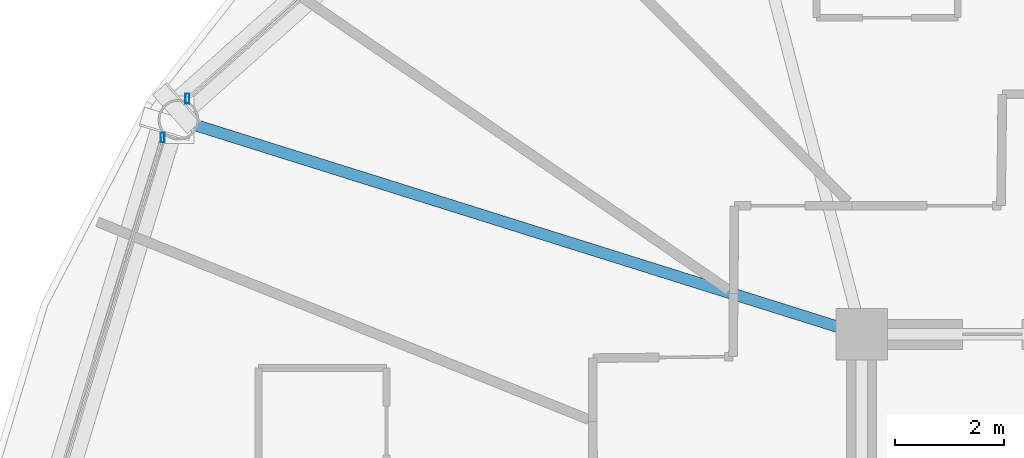
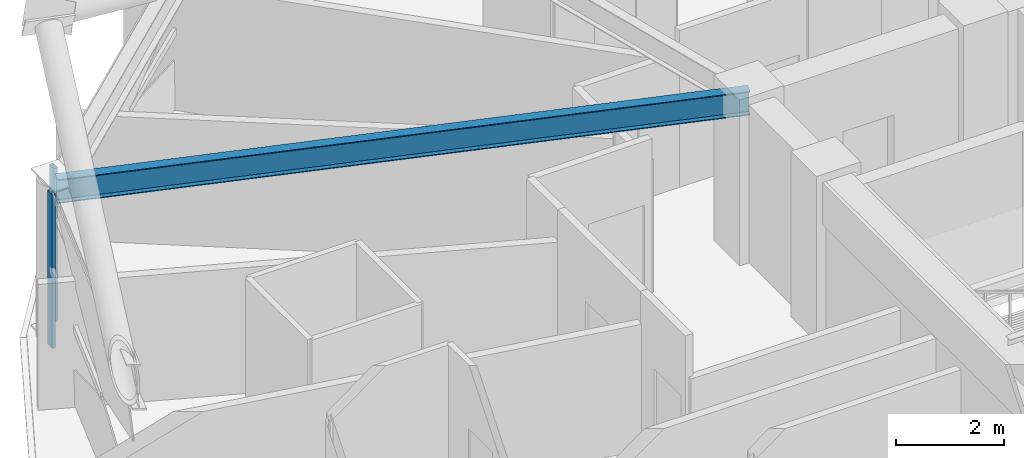
# One storey, part 13 of 32: 2 members, 1 beam, 2 elements without a shape of their own.
"""IFC4 building model written with IfcOpenShell, lengths in metres."""

from ifc_helpers import new_model, si_unit, direction, frame, origin, origin_2d, place, context, subcontext, project, spatial, hollow_rectangle, i_section, extrude, material, layer, layer_set, material_profile, profile_set, type_object, element, aggregate, save


model = new_model("IFC4")

# Units and contexts
model_context = context("Model", 3, precision=1e-05, world=origin(), true_north=direction((0.0, 1.0)))
body_context = subcontext(model_context, "Body", "Model", "MODEL_VIEW")
ifc_project = project(units=[si_unit("LENGTHUNIT", "METRE"), si_unit("AREAUNIT", "SQUARE_METRE"), si_unit("VOLUMEUNIT", "CUBIC_METRE"), si_unit("PLANEANGLEUNIT", "RADIAN"), si_unit("MASSUNIT", "GRAM", prefix="KILO")], contexts=[model_context])

# Site, building, storey
site_placement = place(None, origin())
site = spatial("IfcSite", under=ifc_project, at=site_placement, CompositionType="ELEMENT")
building_placement = place(site_placement, origin())
building = spatial("IfcBuilding", under=site, at=building_placement, Name="Vantalir Tower", CompositionType="ELEMENT")
storey_placement = place(building_placement, frame((0.0, 0.0, 104.699951171875)))
storey = spatial("IfcBuildingStorey", under=building, at=storey_placement, Name="L25", CompositionType="ELEMENT", Elevation=104.699951171875)

# Beam
ifc_material_1 = material(Name="Steel S355", Category="steel")
ifc_material_profile_1 = material_profile(ifc_material_1, i_section(OverallWidth=0.2109375, OverallDepth=0.5390625, WebThickness=0.01171875, FlangeThickness=0.018798828125, at=origin_2d()), Name="Steel S355")
ifc_profile_set_1 = profile_set([ifc_material_profile_1], Name="Steel S355")
beam_type = type_object("IfcBeamType", Name="BM-RB-533x210", PredefinedType="BEAM", material=ifc_profile_set_1)
beam_placement = place(storey_placement, frame((9.340087890625, 36.39404296875, 3.300048828125), z_axis=(0.954064922814, -0.299599938343, 0.0), x_axis=(0.299599938343, 0.954064922814, 0.0)))
element("IfcBeam", 1, at=beam_placement, inside=storey, type_object=beam_type, Name="L25 Radial Floor Beam 06", PredefinedType="BEAM", context=body_context, shape_type="SweptSolid", body=[
    extrude(i_section(OverallWidth=0.2109375, OverallDepth=0.5390625, WebThickness=0.01171875, FlangeThickness=0.018798828125, at=origin_2d()), origin(), (0.0, 0.0, 1.0), 13.16455078125),
])

# Curtain wall, member
ifc_material_2 = material(Name="Champagne-silver PVDF aluminium and double-silver Low-E glass", Category="aluminium")
ifc_layer = layer(ifc_material_2, 0.199951171875)
ifc_layer_set = layer_set([ifc_layer], Name="Champagne-silver PVDF aluminium and double-silver Low-E glass")
curtain_wall_type = type_object("IfcCurtainWallType", Name="CW-DIAMOND-Z2", PredefinedType="USERDEFINED", material=ifc_layer_set)
curtain_wall_1_placement = place(storey_placement, origin())
curtain_wall_1 = element("IfcCurtainWall", 2, at=curtain_wall_1_placement, inside=storey, type_object=curtain_wall_type, Name="L25 Quilted Pyramid-Diamond Curtain Wall S05", ObjectType="UNITISED CURTAIN WALL", PredefinedType="USERDEFINED")
ifc_material_3 = material(Name="Champagne-silver PVDF aluminium 6063-T6", Category="aluminium")
ifc_material_profile_2 = material_profile(ifc_material_3, hollow_rectangle(XDim=0.074951171875, YDim=0.179931640625, WallThickness=0.00390625, at=origin_2d()), Name="Champagne-silver PVDF aluminium 6063-T6")
ifc_profile_set_2 = profile_set([ifc_material_profile_2], Name="Champagne-silver PVDF aluminium 6063-T6")
member_type = type_object("IfcMemberType", Name="CWM-180x75", PredefinedType="MULLION", material=ifc_profile_set_2)
member_1_placement = place(storey_placement, frame((9.50390625, 36.781982421875, 0.045166015625), z_axis=(0.0, 0.0, 1.0), x_axis=(1.0, 0.0, 0.0)))
member_1 = element("IfcMember", 3, at=member_1_placement, type_object=member_type, Name="CW-L25-S05 Mullion 2", PredefinedType="MULLION", context=body_context, shape_type="SweptSolid", body=[
    extrude(hollow_rectangle(XDim=0.074951171875, YDim=0.179931640625, WallThickness=0.00390625, at=origin_2d()), origin(), (0.0, 0.0, 1.0), 3.47998046875),
])
aggregate(curtain_wall_1, [member_1])

curtain_wall_2_placement = place(storey_placement, origin())
curtain_wall_2 = element("IfcCurtainWall", 4, at=curtain_wall_2_placement, inside=storey, type_object=curtain_wall_type, Name="L25 Quilted Pyramid-Diamond Curtain Wall S06", ObjectType="UNITISED CURTAIN WALL", PredefinedType="USERDEFINED")
member_2_placement = place(storey_placement, frame((9.049072265625, 36.068115234375, 0.045166015625), z_axis=(0.0, 0.0, 1.0), x_axis=(1.0, 0.0, 0.0)))
member_2 = element("IfcMember", 5, at=member_2_placement, type_object=member_type, Name="CW-L25-S06 Mullion 1", PredefinedType="MULLION", context=body_context, shape_type="SweptSolid", body=[
    extrude(hollow_rectangle(XDim=0.074951171875, YDim=0.179931640625, WallThickness=0.00390625, at=origin_2d()), origin(), (0.0, 0.0, 1.0), 3.47998046875),
])
aggregate(curtain_wall_2, [member_2])

save(model, "model.ifc")
